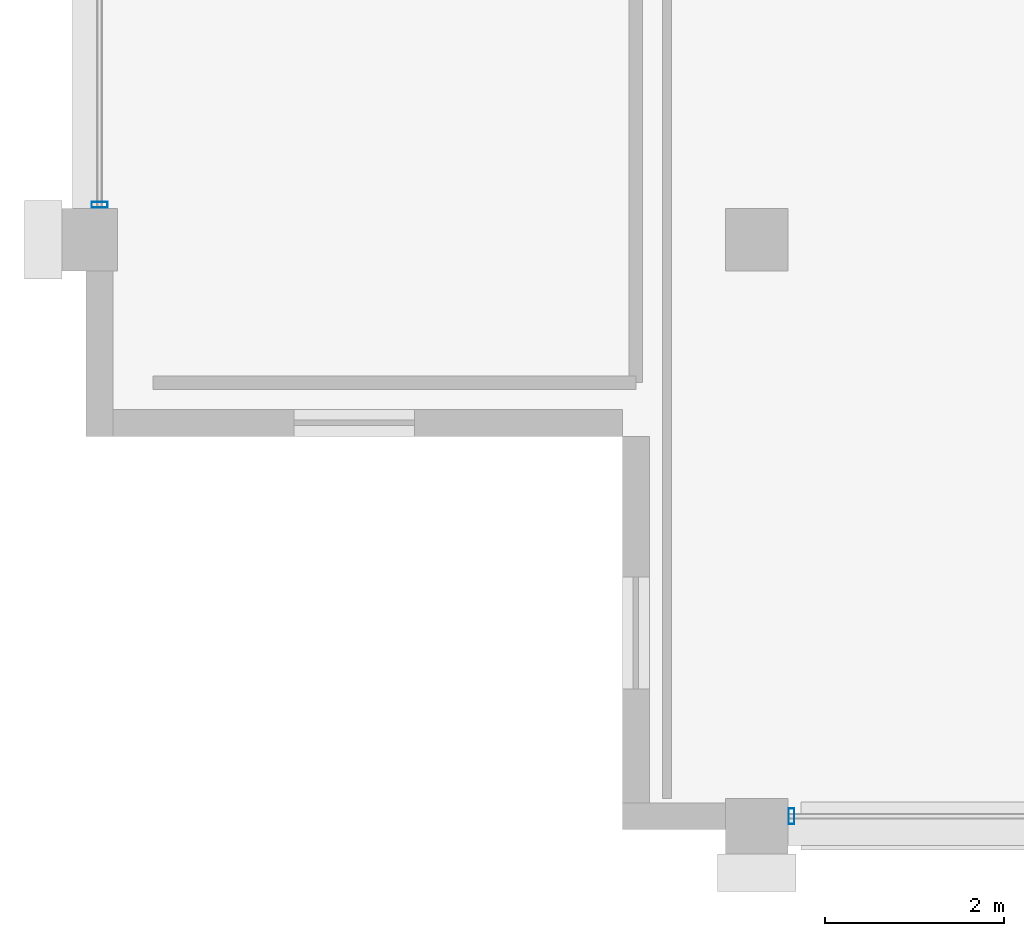
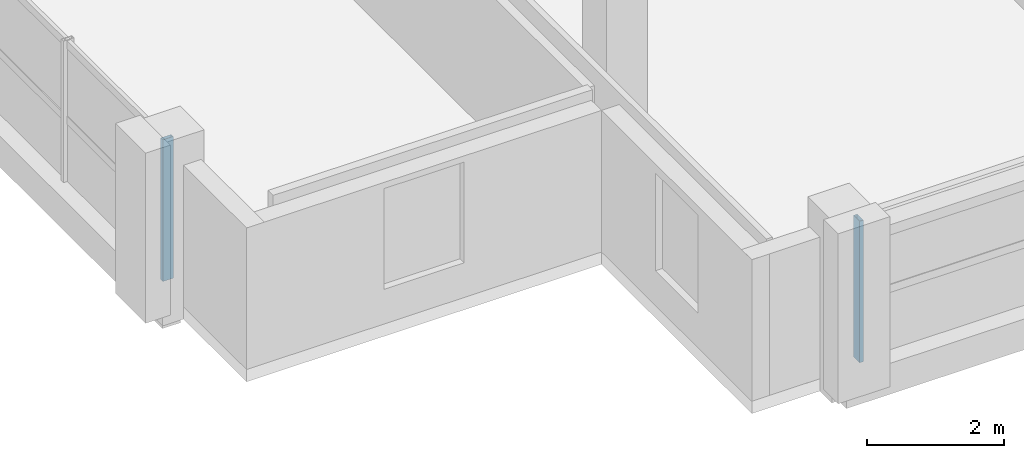
# One storey, part 2 of 24: 2 members, 2 elements without a shape of their own.
"""IFC4 building model written with IfcOpenShell, lengths in metres."""

from ifc_helpers import new_model, si_unit, direction, frame, origin, origin_2d, place, context, subcontext, project, spatial, hollow_rectangle, extrude, material, material_profile, profile_set, type_object, element, aggregate, save


model = new_model("IFC4")

# Units and contexts
model_context = context("Model", 3, precision=1e-05, world=origin(), true_north=direction((0.0, 1.0)))
body_context = subcontext(model_context, "Body", "Model", "MODEL_VIEW")
ifc_project = project(units=[si_unit("LENGTHUNIT", "METRE"), si_unit("AREAUNIT", "SQUARE_METRE"), si_unit("VOLUMEUNIT", "CUBIC_METRE"), si_unit("PLANEANGLEUNIT", "RADIAN"), si_unit("MASSUNIT", "GRAM", prefix="KILO")], contexts=[model_context])

# Site, building, storey
site_placement = place(None, origin())
site = spatial("IfcSite", under=ifc_project, at=site_placement, CompositionType="ELEMENT")
building_placement = place(site_placement, origin())
building = spatial("IfcBuilding", under=site, at=building_placement, Name="Akrevak Sports Hall", CompositionType="ELEMENT")
storey_placement = place(building_placement, frame((0.0, 0.0, 56.800048828125)))
storey = spatial("IfcBuildingStorey", under=building, at=storey_placement, Name="L14", CompositionType="ELEMENT", Elevation=56.800048828125)

# Curtain wall, member
ifc_material_1 = material(Name="Anodized Bronze Aluminium & Low-E Glass", Category="aluminium")
curtain_wall_type = type_object("IfcCurtainWallType", Name="ARC-CW-TWR-64x30", PredefinedType="NOTDEFINED", material=ifc_material_1)
curtain_wall_1_placement = place(storey_placement, origin())
curtain_wall_1 = element("IfcCurtainWall", 1, at=curtain_wall_1_placement, inside=storey, type_object=curtain_wall_type, Name="Curtain Wall CW-L14-S02", PredefinedType="NOTDEFINED")
ifc_material_2 = material(Name="Anodized Bronze Aluminium", Category="aluminium")
ifc_material_profile = material_profile(ifc_material_2, hollow_rectangle(XDim=0.06494140625, YDim=0.179931640625, WallThickness=0.00390625, at=origin_2d()), Name="CWM 65x180", Category="aluminium")
ifc_profile_set = profile_set([ifc_material_profile], Name="Anodized Bronze Aluminium")
member_type = type_object("IfcMemberType", Name="ARC-CWM-65x140", PredefinedType="MULLION", material=ifc_profile_set)
member_1_placement = place(storey_placement, frame((60.389892578125, 35.550048828125, 0.0), z_axis=(0.0, 0.0, 1.0), x_axis=(1.0, 0.0, 0.0)))
member_1 = element("IfcMember", 2, at=member_1_placement, type_object=member_type, Name="Curtain Wall Mullion CW-L14-S02-M1", PredefinedType="MULLION", context=body_context, shape_type="SweptSolid", body=[
    extrude(hollow_rectangle(XDim=0.06494140625, YDim=0.179931640625, WallThickness=0.00390625, at=origin_2d()), origin(), (0.0, 0.0, 1.0), 2.530029296875),
])
aggregate(curtain_wall_1, [member_1])

curtain_wall_2_placement = place(storey_placement, origin())
curtain_wall_2 = element("IfcCurtainWall", 3, at=curtain_wall_2_placement, inside=storey, type_object=curtain_wall_type, Name="Curtain Wall CW-L14-W29", PredefinedType="NOTDEFINED")
member_2_placement = place(storey_placement, frame((52.64990234375, 42.389892578125, 0.0), z_axis=(0.0, 0.0, 1.0), x_axis=(0.0, -1.0, 0.0)))
member_2 = element("IfcMember", 4, at=member_2_placement, type_object=member_type, Name="Curtain Wall Mullion CW-L14-W29-M3", PredefinedType="MULLION", context=body_context, shape_type="SweptSolid", body=[
    extrude(hollow_rectangle(XDim=0.06494140625, YDim=0.179931640625, WallThickness=0.00390625, at=origin_2d()), origin(), (0.0, 0.0, 1.0), 2.530029296875),
])
aggregate(curtain_wall_2, [member_2])

save(model, "model.ifc")
